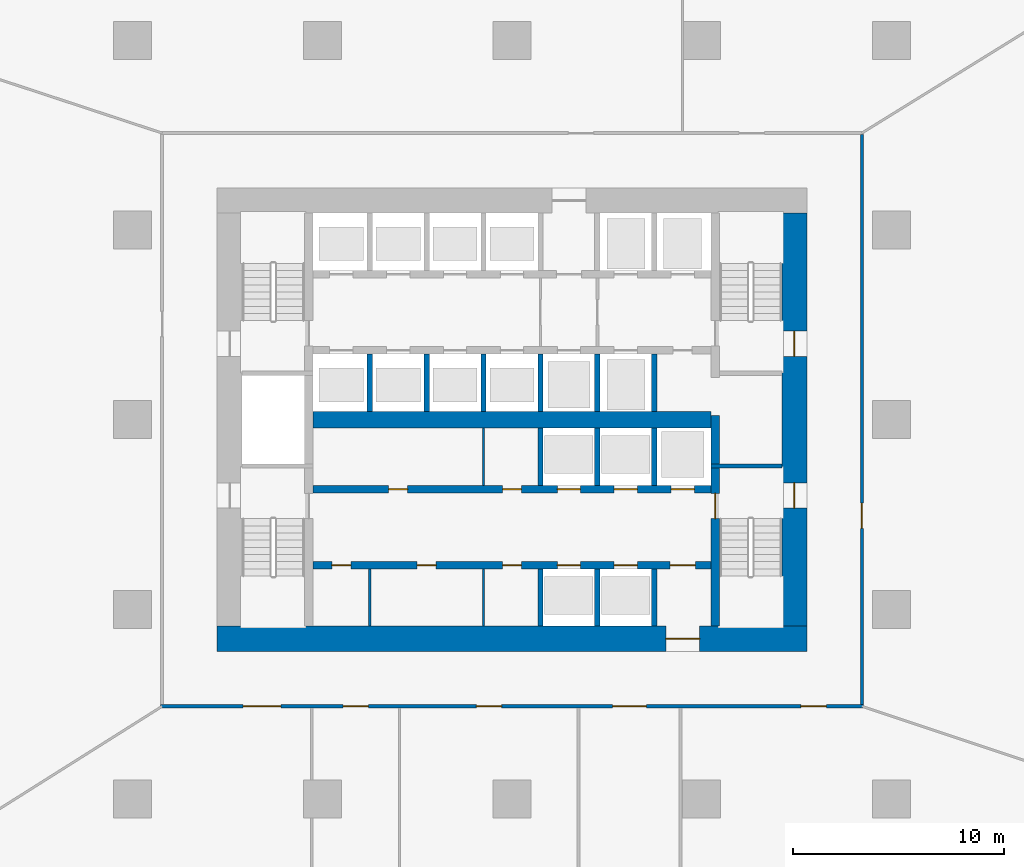
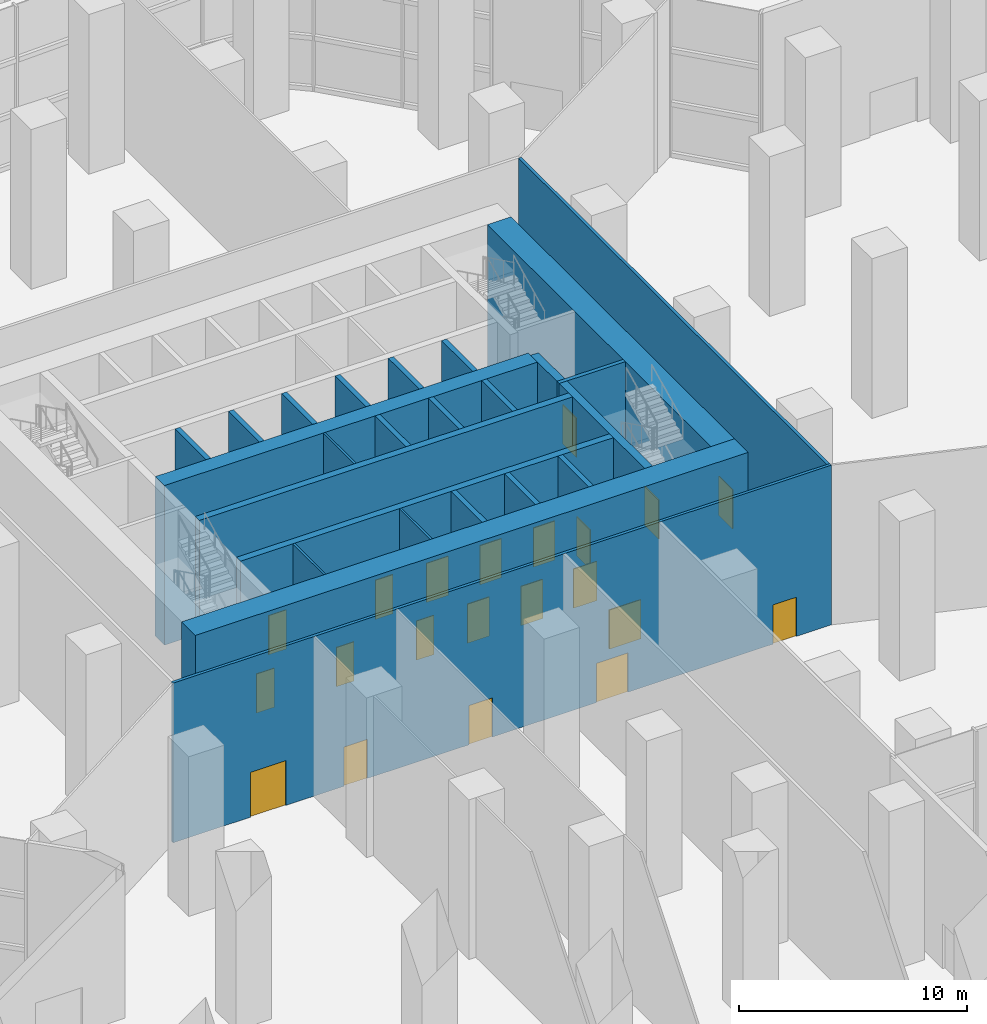
# One storey, part 30 of 40: 25 walls, 21 doors, 21 openings.
"""IFC4 building model written with IfcOpenShell, lengths in metres."""

from ifc_helpers import new_model, si_unit, direction, frame, frame_2d, origin, place, context, subcontext, project, spatial, rectangle, extrude, material, layer, layer_set, type_object, element, fill, save


model = new_model("IFC4")

# Units and contexts
model_context = context("Model", 3, precision=1e-05, world=origin(), true_north=direction((0.0, 1.0)))
body_context = subcontext(model_context, "Body", "Model", "MODEL_VIEW")
ifc_project = project(units=[si_unit("LENGTHUNIT", "METRE"), si_unit("AREAUNIT", "SQUARE_METRE"), si_unit("VOLUMEUNIT", "CUBIC_METRE"), si_unit("PLANEANGLEUNIT", "RADIAN"), si_unit("MASSUNIT", "GRAM", prefix="KILO")], contexts=[model_context])

# Site, building, storey
site_placement = place(None, origin())
site = spatial("IfcSite", under=ifc_project, at=site_placement, CompositionType="ELEMENT")
building_placement = place(site_placement, origin())
building = spatial("IfcBuilding", under=site, at=building_placement, Name="Dongbaek Canopy Tower", CompositionType="ELEMENT")
storey_placement = place(building_placement, origin())
storey = spatial("IfcBuildingStorey", under=building, at=storey_placement, Name="L00", CompositionType="ELEMENT", Elevation=0.0)

# Wall
ifc_material_1 = material(Name="Concrete C60/75", Category="concrete")
ifc_layer_1 = layer(ifc_material_1, 0.800048828125)
ifc_layer_set_1 = layer_set([ifc_layer_1], Name="Core central wall 800 Concrete C60/75")
wall_type_1 = type_object("IfcWallType", Name="Core central wall 800 Concrete C60/75", PredefinedType="SHEAR", material=ifc_layer_set_1)
wall_1_placement = place(storey_placement, frame((-9.449951171875, 0.0, 0.0), z_axis=(0.0, 0.0, 1.0), x_axis=(1.0, 0.0, 0.0)))
element("IfcWall", 1, at=wall_1_placement, inside=storey, type_object=wall_type_1, Name="Core wall", PredefinedType="SHEAR", context=body_context, shape_type="SweptSolid", body=[
    extrude(rectangle(XDim=18.89990234375, YDim=0.800048828125, at=frame_2d((9.449951171875, 0.0))), origin(), (0.0, 0.0, 1.0), 8.550048828125),
])

# Wall, openings, doors
ifc_material_2 = material(Name="Concrete C60/75", Category="concrete")
ifc_layer_2 = layer(ifc_material_2, 0.35009765625)
ifc_layer_set_2 = layer_set([ifc_layer_2], Name="Core lobby wall 350 Concrete C60/75")
wall_type_2 = type_object("IfcWallType", Name="Core lobby wall 350 Concrete C60/75", PredefinedType="SHEAR", material=ifc_layer_set_2)
wall_2_placement = place(storey_placement, frame((-9.449951171875, -3.300048828125, 0.0), z_axis=(0.0, 0.0, 1.0), x_axis=(1.0, 0.0, 0.0)))
wall_2 = element("IfcWall", 2, at=wall_2_placement, inside=storey, type_object=wall_type_2, Name="Core wall", PredefinedType="SHEAR", context=body_context, shape_type="SweptSolid", body=[
    extrude(rectangle(XDim=18.89990234375, YDim=0.35009765625, at=frame_2d((9.449951171875, 0.0))), origin(), (0.0, 0.0, 1.0), 8.550048828125),
])
opening_1_placement = place(wall_2_placement, frame((11.60009765625, 0.0, 0.0)))
opening_1 = element("IfcOpeningElement", 3, at=opening_1_placement, cuts=wall_2, Name="Opening L00-D025", PredefinedType="OPENING", context=body_context, shape_type="SweptSolid", body=[
    extrude(rectangle(XDim=1.10009765625, YDim=2.10009765625, at=frame_2d((0.550048828125, 1.050048828125))), frame((0.0, 0.18505859375, 0.0), z_axis=(0.0, -1.0, 0.0), x_axis=(1.0, 0.0, 0.0)), (0.0, 0.0, 1.0), 0.3701171875),
])
opening_2_placement = place(wall_2_placement, frame((14.300048828125, 0.0, 0.0)))
opening_2 = element("IfcOpeningElement", 4, at=opening_2_placement, cuts=wall_2, Name="Opening L00-D026", PredefinedType="OPENING", context=body_context, shape_type="SweptSolid", body=[
    extrude(rectangle(XDim=1.10009765625, YDim=2.10009765625, at=frame_2d((0.550048828125, 1.050048828125))), frame((0.0, 0.18505859375, 0.0), z_axis=(0.0, -1.0, 0.0), x_axis=(1.0, 0.0, 0.0)), (0.0, 0.0, 1.0), 0.3701171875),
])
opening_3_placement = place(wall_2_placement, frame((17.0, 0.0, 0.0)))
opening_3 = element("IfcOpeningElement", 5, at=opening_3_placement, cuts=wall_2, Name="Opening L00-D027", PredefinedType="OPENING", context=body_context, shape_type="SweptSolid", body=[
    extrude(rectangle(XDim=1.10009765625, YDim=2.10009765625, at=frame_2d((0.550048828125, 1.050048828125))), frame((0.0, 0.18505859375, 0.0), z_axis=(0.0, -1.0, 0.0), x_axis=(1.0, 0.0, 0.0)), (0.0, 0.0, 1.0), 0.3701171875),
])
opening_4_placement = place(wall_2_placement, frame((3.60009765625, 0.0, 0.0)))
opening_4 = element("IfcOpeningElement", 6, at=opening_4_placement, cuts=wall_2, Name="Opening L00-D032", PredefinedType="OPENING", context=body_context, shape_type="SweptSolid", body=[
    extrude(rectangle(XDim=0.89990234375, YDim=2.10009765625, at=frame_2d((0.449951171875, 1.050048828125))), frame((0.0, 0.18505859375, 0.0), z_axis=(0.0, -1.0, 0.0), x_axis=(1.0, 0.0, 0.0)), (0.0, 0.0, 1.0), 0.3701171875),
])
opening_5_placement = place(wall_2_placement, frame((9.0, 0.0, 0.0)))
opening_5 = element("IfcOpeningElement", 7, at=opening_5_placement, cuts=wall_2, Name="Opening L00-D033", PredefinedType="OPENING", context=body_context, shape_type="SweptSolid", body=[
    extrude(rectangle(XDim=0.89990234375, YDim=2.10009765625, at=frame_2d((0.449951171875, 1.050048828125))), frame((0.0, 0.18505859375, 0.0), z_axis=(0.0, -1.0, 0.0), x_axis=(1.0, 0.0, 0.0)), (0.0, 0.0, 1.0), 0.3701171875),
])
ifc_material_3 = material(Name="Steel", Category="steel")
door_type_1 = type_object("IfcDoorType", Name="Core room door 900 x 2100", OperationType="SINGLE_SWING_LEFT", PredefinedType="DOOR", material=ifc_material_3)
door_1_placement = place(opening_4_placement, origin())
door_1 = element("IfcDoor", 8, at=door_1_placement, inside=storey, type_object=door_type_1, Name="Door L00-D032", OperationType="SINGLE_SWING_RIGHT", OverallHeight=2.10009765625, OverallWidth=0.89990234375, PredefinedType="DOOR", context=body_context, shape_type="SweptSolid", body=[
    extrude(rectangle(XDim=0.89990234375, YDim=2.10009765625, at=frame_2d((0.449951171875, 1.050048828125))), frame((0.0, 0.02490234375, 0.0), z_axis=(0.0, -1.0, 0.0), x_axis=(1.0, 0.0, 0.0)), (0.0, 0.0, 1.0), 0.050048828125),
])
fill(opening_4, door_1)
door_2_placement = place(opening_5_placement, origin())
door_2 = element("IfcDoor", 9, at=door_2_placement, inside=storey, type_object=door_type_1, Name="Door L00-D033", OperationType="SINGLE_SWING_LEFT", OverallHeight=2.10009765625, OverallWidth=0.89990234375, PredefinedType="DOOR", context=body_context, shape_type="SweptSolid", body=[
    extrude(rectangle(XDim=0.89990234375, YDim=2.10009765625, at=frame_2d((0.449951171875, 1.050048828125))), frame((0.0, 0.02490234375, 0.0), z_axis=(0.0, -1.0, 0.0), x_axis=(1.0, 0.0, 0.0)), (0.0, 0.0, 1.0), 0.050048828125),
])
fill(opening_5, door_2)
ifc_material_4 = material(Name="Stainless steel", Category="steel")
door_type_2 = type_object("IfcDoorType", Name="Lift landing door 1100 x 2100", OperationType="DOUBLE_DOOR_SLIDING", PredefinedType="DOOR", material=ifc_material_4)
door_3_placement = place(opening_1_placement, origin())
door_3 = element("IfcDoor", 10, at=door_3_placement, inside=storey, type_object=door_type_2, Name="Landing door SH1", OperationType="DOUBLE_DOOR_SLIDING", OverallHeight=2.10009765625, OverallWidth=1.10009765625, PredefinedType="DOOR", context=body_context, shape_type="SweptSolid", body=[
    extrude(rectangle(XDim=1.10009765625, YDim=2.10009765625, at=frame_2d((0.550048828125, 1.050048828125))), frame((0.0, 0.02490234375, 0.0), z_axis=(0.0, -1.0, 0.0), x_axis=(1.0, 0.0, 0.0)), (0.0, 0.0, 1.0), 0.050048828125),
])
fill(opening_1, door_3)
door_4_placement = place(opening_2_placement, origin())
door_4 = element("IfcDoor", 11, at=door_4_placement, inside=storey, type_object=door_type_2, Name="Landing door SH2", OperationType="DOUBLE_DOOR_SLIDING", OverallHeight=2.10009765625, OverallWidth=1.10009765625, PredefinedType="DOOR", context=body_context, shape_type="SweptSolid", body=[
    extrude(rectangle(XDim=1.10009765625, YDim=2.10009765625, at=frame_2d((0.550048828125, 1.050048828125))), frame((0.0, 0.02490234375, 0.0), z_axis=(0.0, -1.0, 0.0), x_axis=(1.0, 0.0, 0.0)), (0.0, 0.0, 1.0), 0.050048828125),
])
fill(opening_2, door_4)
door_5_placement = place(opening_3_placement, origin())
door_5 = element("IfcDoor", 12, at=door_5_placement, inside=storey, type_object=door_type_2, Name="Landing door SV2", OperationType="DOUBLE_DOOR_SLIDING", OverallHeight=2.10009765625, OverallWidth=1.10009765625, PredefinedType="DOOR", context=body_context, shape_type="SweptSolid", body=[
    extrude(rectangle(XDim=1.10009765625, YDim=2.10009765625, at=frame_2d((0.550048828125, 1.050048828125))), frame((0.0, 0.02490234375, 0.0), z_axis=(0.0, -1.0, 0.0), x_axis=(1.0, 0.0, 0.0)), (0.0, 0.0, 1.0), 0.050048828125),
])
fill(opening_3, door_5)

wall_3_placement = place(storey_placement, frame((9.449951171875, -6.89990234375, 0.0), z_axis=(0.0, 0.0, 1.0), x_axis=(-1.0, 0.0, 0.0)))
wall_3 = element("IfcWall", 13, at=wall_3_placement, inside=storey, type_object=wall_type_2, Name="Core wall", PredefinedType="SHEAR", context=body_context, shape_type="SweptSolid", body=[
    extrude(rectangle(XDim=18.89990234375, YDim=0.35009765625, at=frame_2d((9.449951171875, 0.0))), origin(), (0.0, 0.0, 1.0), 8.550048828125),
])
opening_6_placement = place(wall_3_placement, frame((6.199951171875, 0.0, 0.0)))
opening_6 = element("IfcOpeningElement", 14, at=opening_6_placement, cuts=wall_3, Name="Opening L00-D028", PredefinedType="OPENING", context=body_context, shape_type="SweptSolid", body=[
    extrude(rectangle(XDim=1.10009765625, YDim=2.10009765625, at=frame_2d((0.550048828125, 1.050048828125))), frame((0.0, 0.18505859375, 0.0), z_axis=(0.0, -1.0, 0.0), x_axis=(1.0, 0.0, 0.0)), (0.0, 0.0, 1.0), 0.3701171875),
])
opening_7_placement = place(wall_3_placement, frame((3.5, 0.0, 0.0)))
opening_7 = element("IfcOpeningElement", 15, at=opening_7_placement, cuts=wall_3, Name="Opening L00-D029", PredefinedType="OPENING", context=body_context, shape_type="SweptSolid", body=[
    extrude(rectangle(XDim=1.10009765625, YDim=2.10009765625, at=frame_2d((0.550048828125, 1.050048828125))), frame((0.0, 0.18505859375, 0.0), z_axis=(0.0, -1.0, 0.0), x_axis=(1.0, 0.0, 0.0)), (0.0, 0.0, 1.0), 0.3701171875),
])
opening_8_placement = place(wall_3_placement, frame((0.75, 0.0, 0.0)))
opening_8 = element("IfcOpeningElement", 16, at=opening_8_placement, cuts=wall_3, Name="Opening L00-D031", PredefinedType="OPENING", context=body_context, shape_type="SweptSolid", body=[
    extrude(rectangle(XDim=1.199951171875, YDim=2.10009765625, at=frame_2d((0.60009765625, 1.050048828125))), frame((0.0, 0.18505859375, 0.0), z_axis=(0.0, -1.0, 0.0), x_axis=(1.0, 0.0, 0.0)), (0.0, 0.0, 1.0), 0.3701171875),
])
opening_9_placement = place(wall_3_placement, frame((17.10009765625, 0.0, 0.0)))
opening_9 = element("IfcOpeningElement", 17, at=opening_9_placement, cuts=wall_3, Name="Opening L00-D034", PredefinedType="OPENING", context=body_context, shape_type="SweptSolid", body=[
    extrude(rectangle(XDim=0.89990234375, YDim=2.10009765625, at=frame_2d((0.449951171875, 1.050048828125))), frame((0.0, 0.18505859375, 0.0), z_axis=(0.0, -1.0, 0.0), x_axis=(1.0, 0.0, 0.0)), (0.0, 0.0, 1.0), 0.3701171875),
])
opening_10_placement = place(wall_3_placement, frame((13.050048828125, 0.0, 0.0)))
opening_10 = element("IfcOpeningElement", 18, at=opening_10_placement, cuts=wall_3, Name="Opening L00-D035", PredefinedType="OPENING", context=body_context, shape_type="SweptSolid", body=[
    extrude(rectangle(XDim=0.89990234375, YDim=2.10009765625, at=frame_2d((0.449951171875, 1.050048828125))), frame((0.0, 0.18505859375, 0.0), z_axis=(0.0, -1.0, 0.0), x_axis=(1.0, 0.0, 0.0)), (0.0, 0.0, 1.0), 0.3701171875),
])
opening_11_placement = place(wall_3_placement, frame((9.0, 0.0, 0.0)))
opening_11 = element("IfcOpeningElement", 19, at=opening_11_placement, cuts=wall_3, Name="Opening L00-D036", PredefinedType="OPENING", context=body_context, shape_type="SweptSolid", body=[
    extrude(rectangle(XDim=0.89990234375, YDim=2.10009765625, at=frame_2d((0.449951171875, 1.050048828125))), frame((0.0, 0.18505859375, 0.0), z_axis=(0.0, -1.0, 0.0), x_axis=(1.0, 0.0, 0.0)), (0.0, 0.0, 1.0), 0.3701171875),
])
door_6_placement = place(opening_9_placement, origin())
door_6 = element("IfcDoor", 20, at=door_6_placement, inside=storey, type_object=door_type_1, Name="Door L00-D034", OperationType="SINGLE_SWING_RIGHT", OverallHeight=2.10009765625, OverallWidth=0.89990234375, PredefinedType="DOOR", context=body_context, shape_type="SweptSolid", body=[
    extrude(rectangle(XDim=0.89990234375, YDim=2.10009765625, at=frame_2d((0.449951171875, 1.050048828125))), frame((0.0, 0.02490234375, 0.0), z_axis=(0.0, -1.0, 0.0), x_axis=(1.0, 0.0, 0.0)), (0.0, 0.0, 1.0), 0.050048828125),
])
fill(opening_9, door_6)
door_7_placement = place(opening_10_placement, origin())
door_7 = element("IfcDoor", 21, at=door_7_placement, inside=storey, type_object=door_type_1, Name="Door L00-D035", OperationType="SINGLE_SWING_LEFT", OverallHeight=2.10009765625, OverallWidth=0.89990234375, PredefinedType="DOOR", context=body_context, shape_type="SweptSolid", body=[
    extrude(rectangle(XDim=0.89990234375, YDim=2.10009765625, at=frame_2d((0.449951171875, 1.050048828125))), frame((0.0, 0.02490234375, 0.0), z_axis=(0.0, -1.0, 0.0), x_axis=(1.0, 0.0, 0.0)), (0.0, 0.0, 1.0), 0.050048828125),
])
fill(opening_10, door_7)
door_8_placement = place(opening_11_placement, origin())
door_8 = element("IfcDoor", 22, at=door_8_placement, inside=storey, type_object=door_type_1, Name="Door L00-D036", OperationType="SINGLE_SWING_RIGHT", OverallHeight=2.10009765625, OverallWidth=0.89990234375, PredefinedType="DOOR", context=body_context, shape_type="SweptSolid", body=[
    extrude(rectangle(XDim=0.89990234375, YDim=2.10009765625, at=frame_2d((0.449951171875, 1.050048828125))), frame((0.0, 0.02490234375, 0.0), z_axis=(0.0, -1.0, 0.0), x_axis=(1.0, 0.0, 0.0)), (0.0, 0.0, 1.0), 0.050048828125),
])
fill(opening_11, door_8)
ifc_material_5 = material(Name="Steel", Category="steel")
door_type_3 = type_object("IfcDoorType", Name="Fire lobby door 1200 x 2100", OperationType="SINGLE_SWING_LEFT", PredefinedType="DOOR", material=ifc_material_5)
door_9_placement = place(opening_8_placement, origin())
door_9 = element("IfcDoor", 23, at=door_9_placement, inside=storey, type_object=door_type_3, Name="Door L00-D031", OperationType="SINGLE_SWING_LEFT", OverallHeight=2.10009765625, OverallWidth=1.199951171875, PredefinedType="DOOR", context=body_context, shape_type="SweptSolid", body=[
    extrude(rectangle(XDim=1.199951171875, YDim=2.10009765625, at=frame_2d((0.60009765625, 1.050048828125))), frame((0.0, 0.02490234375, 0.0), z_axis=(0.0, -1.0, 0.0), x_axis=(1.0, 0.0, 0.0)), (0.0, 0.0, 1.0), 0.050048828125),
])
fill(opening_8, door_9)
door_10_placement = place(opening_6_placement, origin())
door_10 = element("IfcDoor", 24, at=door_10_placement, inside=storey, type_object=door_type_2, Name="Landing door SH3", OperationType="DOUBLE_DOOR_SLIDING", OverallHeight=2.10009765625, OverallWidth=1.10009765625, PredefinedType="DOOR", context=body_context, shape_type="SweptSolid", body=[
    extrude(rectangle(XDim=1.10009765625, YDim=2.10009765625, at=frame_2d((0.550048828125, 1.050048828125))), frame((0.0, 0.02490234375, 0.0), z_axis=(0.0, -1.0, 0.0), x_axis=(1.0, 0.0, 0.0)), (0.0, 0.0, 1.0), 0.050048828125),
])
fill(opening_6, door_10)
door_11_placement = place(opening_7_placement, origin())
door_11 = element("IfcDoor", 25, at=door_11_placement, inside=storey, type_object=door_type_2, Name="Landing door SH4", OperationType="DOUBLE_DOOR_SLIDING", OverallHeight=2.10009765625, OverallWidth=1.10009765625, PredefinedType="DOOR", context=body_context, shape_type="SweptSolid", body=[
    extrude(rectangle(XDim=1.10009765625, YDim=2.10009765625, at=frame_2d((0.550048828125, 1.050048828125))), frame((0.0, 0.02490234375, 0.0), z_axis=(0.0, -1.0, 0.0), x_axis=(1.0, 0.0, 0.0)), (0.0, 0.0, 1.0), 0.050048828125),
])
fill(opening_7, door_11)

# Wall, opening, door
ifc_material_6 = material(Name="Concrete C60/75", Category="concrete")
ifc_layer_3 = layer(ifc_material_6, 1.199951171875)
ifc_layer_set_3 = layer_set([ifc_layer_3], Name="Core outer wall 1200 Concrete C60/75")
wall_type_3 = type_object("IfcWallType", Name="Core outer wall 1200 Concrete C60/75", PredefinedType="SHEAR", material=ifc_layer_set_3)
wall_4_placement = place(storey_placement, frame((14.0, -10.39990234375, 0.0), z_axis=(0.0, 0.0, 1.0), x_axis=(-1.0, 0.0, 0.0)))
wall_4 = element("IfcWall", 26, at=wall_4_placement, inside=storey, type_object=wall_type_3, Name="Core wall", PredefinedType="SHEAR", context=body_context, shape_type="SweptSolid", body=[
    extrude(rectangle(XDim=28.0, YDim=1.199951171875, at=frame_2d((14.0, 0.0))), origin(), (0.0, 0.0, 1.0), 8.550048828125),
])
opening_12_placement = place(wall_4_placement, frame((5.10009765625, 0.0, 0.0)))
opening_12 = element("IfcOpeningElement", 27, at=opening_12_placement, cuts=wall_4, Name="Opening L00-D030", PredefinedType="OPENING", context=body_context, shape_type="SweptSolid", body=[
    extrude(rectangle(XDim=1.60009765625, YDim=2.10009765625, at=frame_2d((0.800048828125, 1.050048828125))), frame((0.0, 0.60986328125, 0.0), z_axis=(0.0, -1.0, 0.0), x_axis=(1.0, 0.0, 0.0)), (0.0, 0.0, 1.0), 1.219970703125),
])
ifc_material_7 = material(Name="Steel", Category="steel")
door_type_4 = type_object("IfcDoorType", Name="Core exit door 1600 x 2100", OperationType="DOUBLE_DOOR_SINGLE_SWING", PredefinedType="DOOR", material=ifc_material_7)
door_12_placement = place(opening_12_placement, origin())
door_12 = element("IfcDoor", 28, at=door_12_placement, inside=storey, type_object=door_type_4, Name="Core exit door", OperationType="DOUBLE_DOOR_SINGLE_SWING", OverallHeight=2.10009765625, OverallWidth=1.60009765625, PredefinedType="DOOR", context=body_context, shape_type="SweptSolid", body=[
    extrude(rectangle(XDim=1.60009765625, YDim=2.10009765625, at=frame_2d((0.800048828125, 1.050048828125))), frame((0.0, 0.02490234375, 0.0), z_axis=(0.0, -1.0, 0.0), x_axis=(1.0, 0.0, 0.0)), (0.0, 0.0, 1.0), 0.050048828125),
])
fill(opening_12, door_12)

# Wall, openings, doors
wall_5_placement = place(storey_placement, frame((13.39990234375, 9.800048828125, 0.0), z_axis=(0.0, 0.0, 1.0), x_axis=(0.0, -1.0, 0.0)))
wall_5 = element("IfcWall", 29, at=wall_5_placement, inside=storey, type_object=wall_type_3, Name="Core wall", PredefinedType="SHEAR", context=body_context, shape_type="SweptSolid", body=[
    extrude(rectangle(XDim=19.60009765625, YDim=1.199951171875, at=frame_2d((9.800048828125, 0.0))), origin(), (0.0, 0.0, 1.0), 8.550048828125),
])
opening_13_placement = place(wall_5_placement, frame((5.60009765625, 0.0, 0.0)))
opening_13 = element("IfcOpeningElement", 30, at=opening_13_placement, cuts=wall_5, Name="Opening L00-D043", PredefinedType="OPENING", context=body_context, shape_type="SweptSolid", body=[
    extrude(rectangle(XDim=1.199951171875, YDim=2.10009765625, at=frame_2d((0.60009765625, 1.050048828125))), frame((0.0, 0.60986328125, 0.0), z_axis=(0.0, -1.0, 0.0), x_axis=(1.0, 0.0, 0.0)), (0.0, 0.0, 1.0), 1.219970703125),
])
opening_14_placement = place(wall_5_placement, frame((12.800048828125, 0.0, 0.0)))
opening_14 = element("IfcOpeningElement", 31, at=opening_14_placement, cuts=wall_5, Name="Opening L00-D044", PredefinedType="OPENING", context=body_context, shape_type="SweptSolid", body=[
    extrude(rectangle(XDim=1.199951171875, YDim=2.10009765625, at=frame_2d((0.60009765625, 1.050048828125))), frame((0.0, 0.60986328125, 0.0), z_axis=(0.0, -1.0, 0.0), x_axis=(1.0, 0.0, 0.0)), (0.0, 0.0, 1.0), 1.219970703125),
])
ifc_material_8 = material(Name="Steel", Category="steel")
door_type_5 = type_object("IfcDoorType", Name="Core stair exit door 1200 x 2100", OperationType="SINGLE_SWING_LEFT", PredefinedType="DOOR", material=ifc_material_8)
door_13_placement = place(opening_13_placement, origin())
door_13 = element("IfcDoor", 32, at=door_13_placement, inside=storey, type_object=door_type_5, Name="Stair A exit door", OperationType="SINGLE_SWING_LEFT", OverallHeight=2.10009765625, OverallWidth=1.199951171875, PredefinedType="DOOR", context=body_context, shape_type="SweptSolid", body=[
    extrude(rectangle(XDim=1.199951171875, YDim=2.10009765625, at=frame_2d((0.60009765625, 1.050048828125))), frame((0.0, 0.02490234375, 0.0), z_axis=(0.0, -1.0, 0.0), x_axis=(1.0, 0.0, 0.0)), (0.0, 0.0, 1.0), 0.050048828125),
])
fill(opening_13, door_13)
door_14_placement = place(opening_14_placement, origin())
door_14 = element("IfcDoor", 33, at=door_14_placement, inside=storey, type_object=door_type_5, Name="Stair B exit door", OperationType="SINGLE_SWING_LEFT", OverallHeight=2.10009765625, OverallWidth=1.199951171875, PredefinedType="DOOR", context=body_context, shape_type="SweptSolid", body=[
    extrude(rectangle(XDim=1.199951171875, YDim=2.10009765625, at=frame_2d((0.60009765625, 1.050048828125))), frame((0.0, 0.02490234375, 0.0), z_axis=(0.0, -1.0, 0.0), x_axis=(1.0, 0.0, 0.0)), (0.0, 0.0, 1.0), 0.050048828125),
])
fill(opening_14, door_14)

ifc_material_9 = material(Name="Gypsum board partition, steel stud, 2 x 15 mm fire board", Category="steel")
ifc_layer_4 = layer(ifc_material_9, 0.14990234375)
ifc_layer_set_4 = layer_set([ifc_layer_4], Name="Fire-rated partition 150 gypsum board")
wall_type_4 = type_object("IfcWallType", Name="Fire-rated partition 150 gypsum board", PredefinedType="PARTITIONING", material=ifc_layer_set_4)
wall_6_placement = place(storey_placement, frame((16.675048828125, -13.60009765625, 0.0), z_axis=(0.0, 0.0, 1.0), x_axis=(-1.0, 0.0, 0.0)))
wall_6 = element("IfcWall", 34, at=wall_6_placement, inside=storey, type_object=wall_type_4, Name="Corridor partition", PredefinedType="PARTITIONING", context=body_context, shape_type="SweptSolid", body=[
    extrude(rectangle(XDim=33.35009765625, YDim=0.14990234375, at=frame_2d((16.675048828125, 0.0))), origin(), (0.0, 0.0, 1.0), 8.550048828125),
])
opening_15_placement = place(wall_6_placement, frame((27.635986328125, 0.0, 0.0)))
opening_15 = element("IfcOpeningElement", 35, at=opening_15_placement, cuts=wall_6, Name="Opening L00-D002", PredefinedType="OPENING", context=body_context, shape_type="SweptSolid", body=[
    extrude(rectangle(XDim=1.800048828125, YDim=2.39990234375, at=frame_2d((0.89990234375, 1.199951171875))), frame((0.0, 0.0849609375, 0.0), z_axis=(0.0, -1.0, 0.0), x_axis=(1.0, 0.0, 0.0)), (0.0, 0.0, 1.0), 0.169921875),
])
opening_16_placement = place(wall_6_placement, frame((23.49169921875, 0.0, 0.0)))
opening_16 = element("IfcOpeningElement", 36, at=opening_16_placement, cuts=wall_6, Name="Opening L00-D003", PredefinedType="OPENING", context=body_context, shape_type="SweptSolid", body=[
    extrude(rectangle(XDim=1.199951171875, YDim=2.10009765625, at=frame_2d((0.60009765625, 1.050048828125))), frame((0.0, 0.0849609375, 0.0), z_axis=(0.0, -1.0, 0.0), x_axis=(1.0, 0.0, 0.0)), (0.0, 0.0, 1.0), 0.169921875),
])
opening_17_placement = place(wall_6_placement, frame((17.166748046875, 0.0, 0.0)))
opening_17 = element("IfcOpeningElement", 37, at=opening_17_placement, cuts=wall_6, Name="Opening L00-D004", PredefinedType="OPENING", context=body_context, shape_type="SweptSolid", body=[
    extrude(rectangle(XDim=1.199951171875, YDim=2.10009765625, at=frame_2d((0.60009765625, 1.050048828125))), frame((0.0, 0.0849609375, 0.0), z_axis=(0.0, -1.0, 0.0), x_axis=(1.0, 0.0, 0.0)), (0.0, 0.0, 1.0), 0.169921875),
])
opening_18_placement = place(wall_6_placement, frame((1.763671875, 0.0, 0.0)))
opening_18 = element("IfcOpeningElement", 38, at=opening_18_placement, cuts=wall_6, Name="Opening L00-D005", PredefinedType="OPENING", context=body_context, shape_type="SweptSolid", body=[
    extrude(rectangle(XDim=1.199951171875, YDim=2.10009765625, at=frame_2d((0.60009765625, 1.050048828125))), frame((0.0, 0.0849609375, 0.0), z_axis=(0.0, -1.0, 0.0), x_axis=(1.0, 0.0, 0.0)), (0.0, 0.0, 1.0), 0.169921875),
])
opening_19_placement = place(wall_6_placement, frame((10.300048828125, 0.0, 0.0)))
opening_19 = element("IfcOpeningElement", 39, at=opening_19_placement, cuts=wall_6, Name="Opening L00-D009", PredefinedType="OPENING", context=body_context, shape_type="SweptSolid", body=[
    extrude(rectangle(XDim=1.60009765625, YDim=2.10009765625, at=frame_2d((0.800048828125, 1.050048828125))), frame((0.0, 0.0849609375, 0.0), z_axis=(0.0, -1.0, 0.0), x_axis=(1.0, 0.0, 0.0)), (0.0, 0.0, 1.0), 0.169921875),
])
door_15_placement = place(opening_19_placement, origin())
door_15 = element("IfcDoor", 40, at=door_15_placement, inside=storey, type_object=door_type_4, Name="Exit passage door", OperationType="DOUBLE_DOOR_SINGLE_SWING", OverallHeight=2.10009765625, OverallWidth=1.60009765625, PredefinedType="DOOR", context=body_context, shape_type="SweptSolid", body=[
    extrude(rectangle(XDim=1.60009765625, YDim=2.10009765625, at=frame_2d((0.800048828125, 1.050048828125))), frame((0.0, 0.02490234375, 0.0), z_axis=(0.0, -1.0, 0.0), x_axis=(1.0, 0.0, 0.0)), (0.0, 0.0, 1.0), 0.050048828125),
])
fill(opening_19, door_15)
ifc_material_10 = material(Name="Timber veneered door leaf", Category="wood")
door_type_6 = type_object("IfcDoorType", Name="Hall double door 1800 x 2400", OperationType="DOUBLE_DOOR_SINGLE_SWING", PredefinedType="DOOR", material=ifc_material_10)
door_16_placement = place(opening_15_placement, origin())
door_16 = element("IfcDoor", 41, at=door_16_placement, inside=storey, type_object=door_type_6, Name="Door L00-D002", OperationType="DOUBLE_DOOR_SINGLE_SWING", OverallHeight=2.39990234375, OverallWidth=1.800048828125, PredefinedType="DOOR", context=body_context, shape_type="SweptSolid", body=[
    extrude(rectangle(XDim=1.800048828125, YDim=2.39990234375, at=frame_2d((0.89990234375, 1.199951171875))), frame((0.0, 0.02490234375, 0.0), z_axis=(0.0, -1.0, 0.0), x_axis=(1.0, 0.0, 0.0)), (0.0, 0.0, 1.0), 0.050048828125),
])
fill(opening_15, door_16)
ifc_material_11 = material(Name="Timber veneered door leaf", Category="wood")
door_type_7 = type_object("IfcDoorType", Name="Room door 1200 x 2100", OperationType="SINGLE_SWING_LEFT", PredefinedType="DOOR", material=ifc_material_11)
door_17_placement = place(opening_16_placement, origin())
door_17 = element("IfcDoor", 42, at=door_17_placement, inside=storey, type_object=door_type_7, Name="Door L00-D003", OperationType="SINGLE_SWING_RIGHT", OverallHeight=2.10009765625, OverallWidth=1.199951171875, PredefinedType="DOOR", context=body_context, shape_type="SweptSolid", body=[
    extrude(rectangle(XDim=1.199951171875, YDim=2.10009765625, at=frame_2d((0.60009765625, 1.050048828125))), frame((0.0, 0.02490234375, 0.0), z_axis=(0.0, -1.0, 0.0), x_axis=(1.0, 0.0, 0.0)), (0.0, 0.0, 1.0), 0.050048828125),
])
fill(opening_16, door_17)
door_18_placement = place(opening_17_placement, origin())
door_18 = element("IfcDoor", 43, at=door_18_placement, inside=storey, type_object=door_type_7, Name="Door L00-D004", OperationType="SINGLE_SWING_LEFT", OverallHeight=2.10009765625, OverallWidth=1.199951171875, PredefinedType="DOOR", context=body_context, shape_type="SweptSolid", body=[
    extrude(rectangle(XDim=1.199951171875, YDim=2.10009765625, at=frame_2d((0.60009765625, 1.050048828125))), frame((0.0, 0.02490234375, 0.0), z_axis=(0.0, -1.0, 0.0), x_axis=(1.0, 0.0, 0.0)), (0.0, 0.0, 1.0), 0.050048828125),
])
fill(opening_17, door_18)
door_19_placement = place(opening_18_placement, origin())
door_19 = element("IfcDoor", 44, at=door_19_placement, inside=storey, type_object=door_type_7, Name="Door L00-D005", OperationType="SINGLE_SWING_RIGHT", OverallHeight=2.10009765625, OverallWidth=1.199951171875, PredefinedType="DOOR", context=body_context, shape_type="SweptSolid", body=[
    extrude(rectangle(XDim=1.199951171875, YDim=2.10009765625, at=frame_2d((0.60009765625, 1.050048828125))), frame((0.0, 0.02490234375, 0.0), z_axis=(0.0, -1.0, 0.0), x_axis=(1.0, 0.0, 0.0)), (0.0, 0.0, 1.0), 0.050048828125),
])
fill(opening_18, door_19)

# Wall, opening, door
wall_7_placement = place(storey_placement, frame((16.60009765625, 13.52490234375, 0.0), z_axis=(0.0, 0.0, 1.0), x_axis=(0.0, -1.0, 0.0)))
wall_7 = element("IfcWall", 45, at=wall_7_placement, inside=storey, type_object=wall_type_4, Name="Corridor partition", PredefinedType="PARTITIONING", context=body_context, shape_type="SweptSolid", body=[
    extrude(rectangle(XDim=27.0498046875, YDim=0.14990234375, at=frame_2d((13.52490234375, 0.0))), origin(), (0.0, 0.0, 1.0), 8.550048828125),
])
opening_20_placement = place(wall_7_placement, frame((17.482177734375, 0.0, 0.0)))
opening_20 = element("IfcOpeningElement", 46, at=opening_20_placement, cuts=wall_7, Name="Opening L00-D006", PredefinedType="OPENING", context=body_context, shape_type="SweptSolid", body=[
    extrude(rectangle(XDim=1.199951171875, YDim=2.10009765625, at=frame_2d((0.60009765625, 1.050048828125))), frame((0.0, 0.0849609375, 0.0), z_axis=(0.0, -1.0, 0.0), x_axis=(1.0, 0.0, 0.0)), (0.0, 0.0, 1.0), 0.169921875),
])
door_20_placement = place(opening_20_placement, origin())
door_20 = element("IfcDoor", 47, at=door_20_placement, inside=storey, type_object=door_type_7, Name="Door L00-D006", OperationType="SINGLE_SWING_LEFT", OverallHeight=2.10009765625, OverallWidth=1.199951171875, PredefinedType="DOOR", context=body_context, shape_type="SweptSolid", body=[
    extrude(rectangle(XDim=1.199951171875, YDim=2.10009765625, at=frame_2d((0.60009765625, 1.050048828125))), frame((0.0, 0.02490234375, 0.0), z_axis=(0.0, -1.0, 0.0), x_axis=(1.0, 0.0, 0.0)), (0.0, 0.0, 1.0), 0.050048828125),
])
fill(opening_20, door_20)

# Walls
ifc_material_12 = material(Name="Concrete C40/50", Category="concrete")
ifc_layer_5 = layer(ifc_material_12, 0.25)
ifc_layer_set_5 = layer_set([ifc_layer_5], Name="Lift shaft wall 250 Concrete C40/50")
wall_type_5 = type_object("IfcWallType", Name="Lift shaft wall 250 Concrete C40/50", PredefinedType="SOLIDWALL", material=ifc_layer_set_5)
for number, where, z_axis, x_axis, name in (
    (48, (6.75, -9.800048828125, 0.0), (0.0, 0.0, 1.0), (0.0, 1.0, 0.0), "Lift shaft wall"),
    (49, (6.75, -3.125, 0.0), (0.0, 0.0, 1.0), (0.0, 1.0, 0.0), "Lift shaft wall"),
    (50, (6.75, 0.39990234375, 0.0), (0.0, 0.0, 1.0), (0.0, 1.0, 0.0), "Lift shaft wall"),
    (51, (4.050048828125, -9.800048828125, 0.0), (0.0, 0.0, 1.0), (0.0, 1.0, 0.0), "Lift shaft wall"),
    (52, (4.050048828125, -3.125, 0.0), (0.0, 0.0, 1.0), (0.0, 1.0, 0.0), "Lift shaft wall"),
    (53, (4.050048828125, 0.39990234375, 0.0), (0.0, 0.0, 1.0), (0.0, 1.0, 0.0), "Lift shaft wall"),
    (54, (1.35009765625, -9.800048828125, 0.0), (0.0, 0.0, 1.0), (0.0, 1.0, 0.0), "Lift shaft wall"),
    (55, (1.35009765625, -3.125, 0.0), (0.0, 0.0, 1.0), (0.0, 1.0, 0.0), "Lift shaft wall"),
    (56, (1.35009765625, 0.39990234375, 0.0), (0.0, 0.0, 1.0), (0.0, 1.0, 0.0), "Lift shaft wall"),
    (57, (-1.35009765625, 0.39990234375, 0.0), (0.0, 0.0, 1.0), (0.0, 1.0, 0.0), "Lift shaft wall"),
    (58, (-4.050048828125, 0.39990234375, 0.0), (0.0, 0.0, 1.0), (0.0, 1.0, 0.0), "Lift shaft wall"),
    (59, (-6.75, 0.39990234375, 0.0), (0.0, 0.0, 1.0), (0.0, 1.0, 0.0), "Lift shaft wall"),
):
    element("IfcWall", number, at=place(storey_placement, frame(where, z_axis=z_axis, x_axis=x_axis)), inside=storey, type_object=wall_type_5, Name=name, PredefinedType="SOLIDWALL", context=body_context, shape_type="SweptSolid", body=[
        extrude(rectangle(XDim=2.72509765625, YDim=0.25, at=frame_2d((1.362548828125, 0.0))), origin(), (0.0, 0.0, 1.0), 8.550048828125),
    ])
ifc_material_13 = material(Name="Gypsum board partition, steel stud, 2 x 12.5 mm board", Category="steel")
ifc_layer_6 = layer(ifc_material_13, 0.10009765625)
ifc_layer_set_6 = layer_set([ifc_layer_6], Name="Partition 100 gypsum board")
wall_type_6 = type_object("IfcWallType", Name="Partition 100 gypsum board", PredefinedType="PARTITIONING", material=ifc_layer_set_6)
for number, where, z_axis, x_axis, name in (
    (60, (-1.35009765625, -9.800048828125, 0.0), (0.0, 0.0, 1.0), (0.0, 1.0, 0.0), "Core partition"),
    (61, (-1.35009765625, -3.125, 0.0), (0.0, 0.0, 1.0), (0.0, 1.0, 0.0), "Core partition"),
    (62, (-6.75, -9.800048828125, 0.0), (0.0, 0.0, 1.0), (0.0, 1.0, 0.0), "Core partition"),
):
    element("IfcWall", number, at=place(storey_placement, frame(where, z_axis=z_axis, x_axis=x_axis)), inside=storey, type_object=wall_type_6, Name=name, PredefinedType="PARTITIONING", context=body_context, shape_type="SweptSolid", body=[
        extrude(rectangle(XDim=2.72509765625, YDim=0.10009765625, at=frame_2d((1.362548828125, 0.0))), origin(), (0.0, 0.0, 1.0), 8.550048828125),
    ])
ifc_material_14 = material(Name="Concrete C60/75", Category="concrete")
ifc_layer_7 = layer(ifc_material_14, 0.199951171875)
ifc_layer_set_7 = layer_set([ifc_layer_7], Name="Riser wall 200 Concrete C60/75")
wall_type_7 = type_object("IfcWallType", Name="Riser wall 200 Concrete C60/75", PredefinedType="SHEAR", material=ifc_layer_set_7)
wall_8_placement = place(storey_placement, frame((9.449951171875, -2.199951171875, 0.0), z_axis=(0.0, 0.0, 1.0), x_axis=(1.0, 0.0, 0.0)))
element("IfcWall", 63, at=wall_8_placement, inside=storey, type_object=wall_type_7, Name="Riser wall", PredefinedType="SHEAR", context=body_context, shape_type="SweptSolid", body=[
    extrude(rectangle(XDim=3.35009765625, YDim=0.199951171875, at=frame_2d((1.675048828125, 0.0))), origin(), (0.0, 0.0, 1.0), 8.550048828125),
])

# Wall, opening, door
ifc_material_15 = material(Name="Concrete C60/75", Category="concrete")
ifc_layer_8 = layer(ifc_material_15, 0.39990234375)
ifc_layer_set_8 = layer_set([ifc_layer_8], Name="Stair wall 400 Concrete C60/75")
wall_type_8 = type_object("IfcWallType", Name="Stair wall 400 Concrete C60/75", PredefinedType="SHEAR", material=ifc_layer_set_8)
wall_9_placement = place(storey_placement, frame((9.64990234375, -2.300048828125, 0.0), z_axis=(0.0, 0.0, 1.0), x_axis=(0.0, -1.0, 0.0)))
wall_9 = element("IfcWall", 64, at=wall_9_placement, inside=storey, type_object=wall_type_8, Name="Stair wall", PredefinedType="SHEAR", context=body_context, shape_type="SweptSolid", body=[
    extrude(rectangle(XDim=7.5, YDim=0.39990234375, at=frame_2d((3.75, 0.0))), origin(), (0.0, 0.0, 1.0), 8.550048828125),
])
opening_21_placement = place(wall_9_placement, frame((1.199951171875, 0.0, 0.0)))
opening_21 = element("IfcOpeningElement", 65, at=opening_21_placement, cuts=wall_9, Name="Opening L00-D039", PredefinedType="OPENING", context=body_context, shape_type="SweptSolid", body=[
    extrude(rectangle(XDim=1.199951171875, YDim=2.10009765625, at=frame_2d((0.60009765625, 1.050048828125))), frame((0.0, 0.2099609375, 0.0), z_axis=(0.0, -1.0, 0.0), x_axis=(1.0, 0.0, 0.0)), (0.0, 0.0, 1.0), 0.419921875),
])
ifc_material_16 = material(Name="Steel", Category="steel")
door_type_8 = type_object("IfcDoorType", Name="Stair door 1200 x 2100", OperationType="SINGLE_SWING_LEFT", PredefinedType="DOOR", material=ifc_material_16)
door_21_placement = place(opening_21_placement, origin())
door_21 = element("IfcDoor", 66, at=door_21_placement, inside=storey, type_object=door_type_8, Name="Stair B door", OperationType="SINGLE_SWING_RIGHT", OverallHeight=2.10009765625, OverallWidth=1.199951171875, PredefinedType="DOOR", context=body_context, shape_type="SweptSolid", body=[
    extrude(rectangle(XDim=1.199951171875, YDim=2.10009765625, at=frame_2d((0.60009765625, 1.050048828125))), frame((0.0, 0.02490234375, 0.0), z_axis=(0.0, -1.0, 0.0), x_axis=(1.0, 0.0, 0.0)), (0.0, 0.0, 1.0), 0.050048828125),
])
fill(opening_21, door_21)

# Wall
wall_10_placement = place(storey_placement, frame((9.64990234375, -2.10009765625, 0.0), z_axis=(0.0, 0.0, 1.0), x_axis=(0.0, 1.0, 0.0)))
element("IfcWall", 67, at=wall_10_placement, inside=storey, type_object=wall_type_8, Name="Stair wall", PredefinedType="SHEAR", context=body_context, shape_type="SweptSolid", body=[
    extrude(rectangle(XDim=2.300048828125, YDim=0.39990234375, at=frame_2d((1.14990234375, 0.0))), origin(), (0.0, 0.0, 1.0), 8.550048828125),
])

save(model, "model.ifc")
